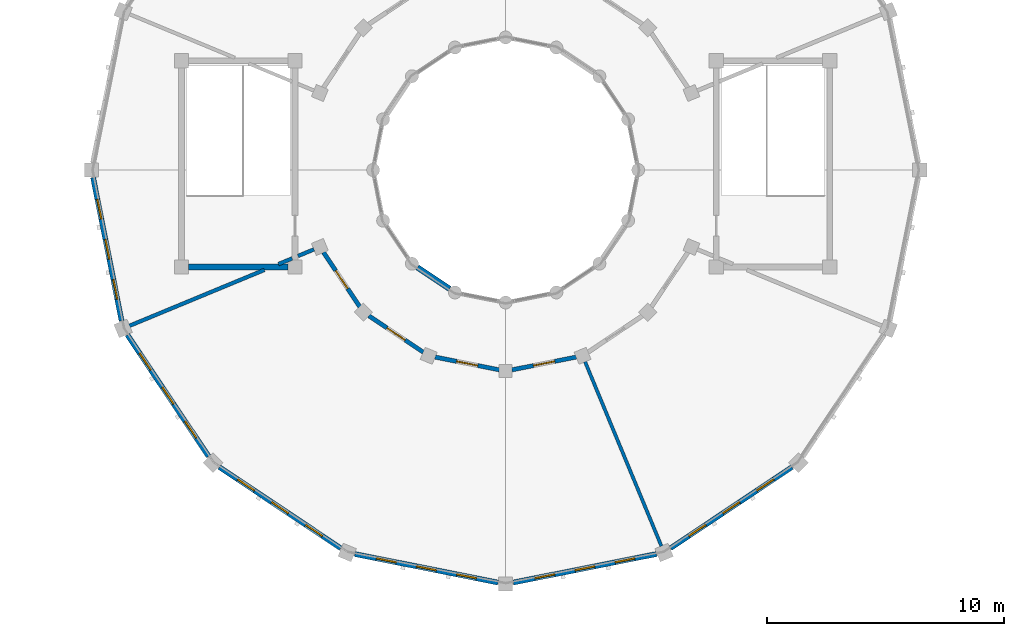
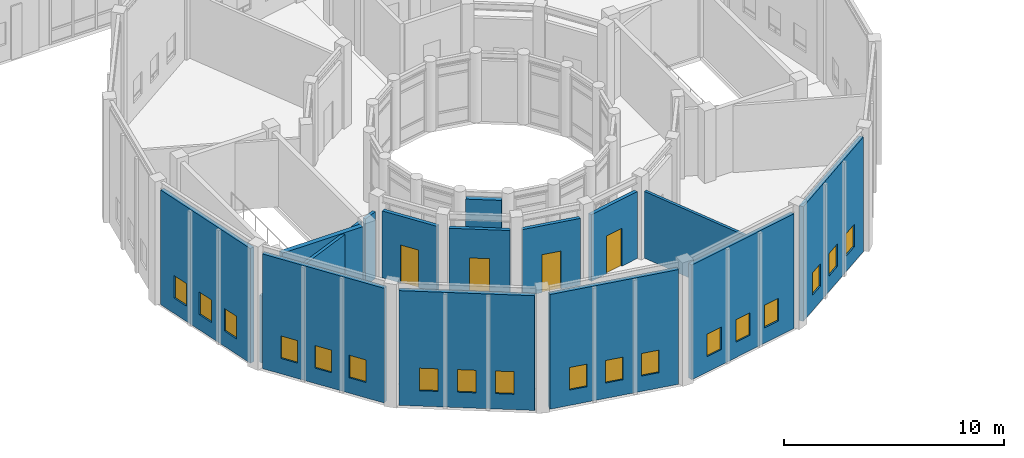
# One storey, part 116 of 149: 18 windows, 16 walls, 4 doors, 22 openings.
"""IFC4 building model written with IfcOpenShell, lengths in metres."""

from ifc_helpers import new_model, si_unit, direction, frame, frame_2d, origin, place, context, subcontext, project, spatial, rectangle, extrude, material, layer, layer_set, type_object, element, fill, save


model = new_model("IFC4")

# Units and contexts
model_context = context("Model", 3, precision=1e-05, world=origin(), true_north=direction((0.0, 1.0)))
body_context = subcontext(model_context, "Body", "Model", "MODEL_VIEW")
ifc_project = project(units=[si_unit("LENGTHUNIT", "METRE"), si_unit("AREAUNIT", "SQUARE_METRE"), si_unit("VOLUMEUNIT", "CUBIC_METRE"), si_unit("PLANEANGLEUNIT", "RADIAN"), si_unit("MASSUNIT", "GRAM", prefix="KILO")], contexts=[model_context])

# Site, building, storey
site_placement = place(None, origin())
site = spatial("IfcSite", under=ifc_project, at=site_placement, CompositionType="ELEMENT")
building_placement = place(site_placement, origin())
building = spatial("IfcBuilding", under=site, at=building_placement, Name="Celadon Cloister-Ring School", CompositionType="ELEMENT")
storey_placement = place(building_placement, frame((0.0, 0.0, 12.5)))
storey = spatial("IfcBuildingStorey", under=building, at=storey_placement, Name="L03", CompositionType="ELEMENT", Elevation=12.5)

# Wall
ifc_material_1 = material(Name="Rendered concrete blockwork", Category="masonry")
ifc_layer_1 = layer(ifc_material_1, 0.239990234375)
ifc_layer_set_1 = layer_set([ifc_layer_1], Name="Rendered concrete blockwork")
wall_type_1 = type_object("IfcWallType", Name="WT-EX3", PredefinedType="SOLIDWALL", material=ifc_layer_set_1)
wall_1_placement = place(storey_placement, frame((16.469970703125, 15.885986328125, 0.0), z_axis=(0.0, 0.0, 1.0), x_axis=(0.83165874011, -0.555287078904, 0.0)))
element("IfcWall", 1, at=wall_1_placement, inside=storey, type_object=wall_type_1, Name="Exterior Wall 0364", PredefinedType="SOLIDWALL", context=body_context, shape_type="SweptSolid", body=[
    extrude(rectangle(XDim=1.631591796875, YDim=0.239990234375, at=frame_2d((0.81591796875, 0.0))), origin(), (0.0, 0.0, 1.0), 3.375),
])

# Wall, openings, windows
ifc_material_2 = material(Name="Perforated terracotta clay brick masonry", Category="masonry")
ifc_layer_2 = layer(ifc_material_2, 0.219970703125)
ifc_layer_set_2 = layer_set([ifc_layer_2], Name="Perforated terracotta clay brick masonry")
wall_type_2 = type_object("IfcWallType", Name="WT-EX4", PredefinedType="SOLIDWALL", material=ifc_layer_set_2)
wall_2_placement = place(storey_placement, frame((3.968017578125, 13.6259765625, 0.0), z_axis=(0.0, 0.0, 1.0), x_axis=(-0.195164813773, 0.980770460131, 0.0)))
wall_2 = element("IfcWall", 2, at=wall_2_placement, inside=storey, type_object=wall_type_2, Name="Exterior Wall 0361", PredefinedType="SOLIDWALL", context=body_context, shape_type="SweptSolid", body=[
    extrude(rectangle(XDim=6.169677734375, YDim=0.219970703125, at=frame_2d((3.0849609375, 0.0))), origin(), (0.0, 0.0, 1.0), 6.35009765625),
])
opening_1_placement = place(wall_2_placement, frame((0.931884765625, 0.0, 0.85009765625)))
opening_1 = element("IfcOpeningElement", 3, at=opening_1_placement, cuts=wall_2, Name="Opening WN-11", PredefinedType="OPENING", context=body_context, shape_type="SweptSolid", body=[
    extrude(rectangle(XDim=0.85009765625, YDim=1.25, at=frame_2d((0.425048828125, 0.625))), frame((0.0, 0.1201171875, 0.0), z_axis=(0.0, -1.0, 0.0), x_axis=(1.0, 0.0, 0.0)), (0.0, 0.0, 1.0), 0.239990234375),
])
opening_2_placement = place(wall_2_placement, frame((2.659912109375, 0.0, 0.85009765625)))
opening_2 = element("IfcOpeningElement", 4, at=opening_2_placement, cuts=wall_2, Name="Opening WN-11", PredefinedType="OPENING", context=body_context, shape_type="SweptSolid", body=[
    extrude(rectangle(XDim=0.85009765625, YDim=1.25, at=frame_2d((0.425048828125, 0.625))), frame((0.0, 0.1201171875, 0.0), z_axis=(0.0, -1.0, 0.0), x_axis=(1.0, 0.0, 0.0)), (0.0, 0.0, 1.0), 0.239990234375),
])
opening_3_placement = place(wall_2_placement, frame((4.386962890625, 0.0, 0.85009765625)))
opening_3 = element("IfcOpeningElement", 5, at=opening_3_placement, cuts=wall_2, Name="Opening WN-11", PredefinedType="OPENING", context=body_context, shape_type="SweptSolid", body=[
    extrude(rectangle(XDim=0.85009765625, YDim=1.25, at=frame_2d((0.425048828125, 0.625))), frame((0.0, 0.1201171875, 0.0), z_axis=(0.0, -1.0, 0.0), x_axis=(1.0, 0.0, 0.0)), (0.0, 0.0, 1.0), 0.239990234375),
])
ifc_material_3 = material(Name="Tempered laminated insulating glass", Category="glass")
window_type = type_object("IfcWindowType", Name="WN-11", PartitioningType="SINGLE_PANEL", PredefinedType="WINDOW", material=ifc_material_3)
window_1_placement = place(opening_1_placement, origin())
window_1 = element("IfcWindow", 6, at=window_1_placement, inside=storey, type_object=window_type, Name="Window 0922", OverallHeight=1.25, OverallWidth=0.85009765625, PartitioningType="SINGLE_PANEL", PredefinedType="WINDOW", context=body_context, shape_type="SweptSolid", body=[
    extrude(rectangle(XDim=0.85009765625, YDim=1.25, at=frame_2d((0.425048828125, 0.625))), frame((0.0, 0.030029296875, 0.0), z_axis=(0.0, -1.0, 0.0), x_axis=(1.0, 0.0, 0.0)), (0.0, 0.0, 1.0), 0.06005859375),
])
fill(opening_1, window_1)
window_2_placement = place(opening_2_placement, origin())
window_2 = element("IfcWindow", 7, at=window_2_placement, inside=storey, type_object=window_type, Name="Window 0923", OverallHeight=1.25, OverallWidth=0.85009765625, PartitioningType="SINGLE_PANEL", PredefinedType="WINDOW", context=body_context, shape_type="SweptSolid", body=[
    extrude(rectangle(XDim=0.85009765625, YDim=1.25, at=frame_2d((0.425048828125, 0.625))), frame((0.0, 0.030029296875, 0.0), z_axis=(0.0, -1.0, 0.0), x_axis=(1.0, 0.0, 0.0)), (0.0, 0.0, 1.0), 0.06005859375),
])
fill(opening_2, window_2)
window_3_placement = place(opening_3_placement, origin())
window_3 = element("IfcWindow", 8, at=window_3_placement, inside=storey, type_object=window_type, Name="Window 0924", OverallHeight=1.25, OverallWidth=0.85009765625, PartitioningType="SINGLE_PANEL", PredefinedType="WINDOW", context=body_context, shape_type="SweptSolid", body=[
    extrude(rectangle(XDim=0.85009765625, YDim=1.25, at=frame_2d((0.425048828125, 0.625))), frame((0.0, 0.030029296875, 0.0), z_axis=(0.0, -1.0, 0.0), x_axis=(1.0, 0.0, 0.0)), (0.0, 0.0, 1.0), 0.06005859375),
])
fill(opening_3, window_3)

wall_3_placement = place(storey_placement, frame((7.64306640625, 7.89990234375, 0.0), z_axis=(0.0, 0.0, 1.0), x_axis=(-0.555658736667, 0.831410469242, 0.0)))
wall_3 = element("IfcWall", 9, at=wall_3_placement, inside=storey, type_object=wall_type_2, Name="Exterior Wall 0362", PredefinedType="SOLIDWALL", context=body_context, shape_type="SweptSolid", body=[
    extrude(rectangle(XDim=6.169189453125, YDim=0.219970703125, at=frame_2d((3.08447265625, 0.0))), origin(), (0.0, 0.0, 1.0), 6.35009765625),
])
opening_4_placement = place(wall_3_placement, frame((0.931884765625, 0.0, 0.85009765625)))
opening_4 = element("IfcOpeningElement", 10, at=opening_4_placement, cuts=wall_3, Name="Opening WN-11", PredefinedType="OPENING", context=body_context, shape_type="SweptSolid", body=[
    extrude(rectangle(XDim=0.85009765625, YDim=1.25, at=frame_2d((0.425048828125, 0.625))), frame((0.0, 0.1201171875, 0.0), z_axis=(0.0, -1.0, 0.0), x_axis=(1.0, 0.0, 0.0)), (0.0, 0.0, 1.0), 0.239990234375),
])
opening_5_placement = place(wall_3_placement, frame((2.659912109375, 0.0, 0.85009765625)))
opening_5 = element("IfcOpeningElement", 11, at=opening_5_placement, cuts=wall_3, Name="Opening WN-11", PredefinedType="OPENING", context=body_context, shape_type="SweptSolid", body=[
    extrude(rectangle(XDim=0.85009765625, YDim=1.25, at=frame_2d((0.425048828125, 0.625))), frame((0.0, 0.1201171875, 0.0), z_axis=(0.0, -1.0, 0.0), x_axis=(1.0, 0.0, 0.0)), (0.0, 0.0, 1.0), 0.239990234375),
])
opening_6_placement = place(wall_3_placement, frame((4.386962890625, 0.0, 0.85009765625)))
opening_6 = element("IfcOpeningElement", 12, at=opening_6_placement, cuts=wall_3, Name="Opening WN-11", PredefinedType="OPENING", context=body_context, shape_type="SweptSolid", body=[
    extrude(rectangle(XDim=0.85009765625, YDim=1.25, at=frame_2d((0.425048828125, 0.625))), frame((0.0, 0.1201171875, 0.0), z_axis=(0.0, -1.0, 0.0), x_axis=(1.0, 0.0, 0.0)), (0.0, 0.0, 1.0), 0.239990234375),
])
window_4_placement = place(opening_4_placement, origin())
window_4 = element("IfcWindow", 13, at=window_4_placement, inside=storey, type_object=window_type, Name="Window 0925", OverallHeight=1.25, OverallWidth=0.85009765625, PartitioningType="SINGLE_PANEL", PredefinedType="WINDOW", context=body_context, shape_type="SweptSolid", body=[
    extrude(rectangle(XDim=0.85009765625, YDim=1.25, at=frame_2d((0.425048828125, 0.625))), frame((0.0, 0.030029296875, 0.0), z_axis=(0.0, -1.0, 0.0), x_axis=(1.0, 0.0, 0.0)), (0.0, 0.0, 1.0), 0.06005859375),
])
fill(opening_4, window_4)
window_5_placement = place(opening_5_placement, origin())
window_5 = element("IfcWindow", 14, at=window_5_placement, inside=storey, type_object=window_type, Name="Window 0926", OverallHeight=1.25, OverallWidth=0.85009765625, PartitioningType="SINGLE_PANEL", PredefinedType="WINDOW", context=body_context, shape_type="SweptSolid", body=[
    extrude(rectangle(XDim=0.85009765625, YDim=1.25, at=frame_2d((0.425048828125, 0.625))), frame((0.0, 0.030029296875, 0.0), z_axis=(0.0, -1.0, 0.0), x_axis=(1.0, 0.0, 0.0)), (0.0, 0.0, 1.0), 0.06005859375),
])
fill(opening_5, window_5)
window_6_placement = place(opening_6_placement, origin())
window_6 = element("IfcWindow", 15, at=window_6_placement, inside=storey, type_object=window_type, Name="Window 0927", OverallHeight=1.25, OverallWidth=0.85009765625, PartitioningType="SINGLE_PANEL", PredefinedType="WINDOW", context=body_context, shape_type="SweptSolid", body=[
    extrude(rectangle(XDim=0.85009765625, YDim=1.25, at=frame_2d((0.425048828125, 0.625))), frame((0.0, 0.030029296875, 0.0), z_axis=(0.0, -1.0, 0.0), x_axis=(1.0, 0.0, 0.0)), (0.0, 0.0, 1.0), 0.06005859375),
])
fill(opening_6, window_6)

wall_4_placement = place(storey_placement, frame((13.22900390625, 4.014892578125, 0.0), z_axis=(0.0, 0.0, 1.0), x_axis=(-0.831379966495, 0.555704374025, 0.0)))
wall_4 = element("IfcWall", 16, at=wall_4_placement, inside=storey, type_object=wall_type_2, Name="Exterior Wall 0363", PredefinedType="SOLIDWALL", context=body_context, shape_type="SweptSolid", body=[
    extrude(rectangle(XDim=6.169189453125, YDim=0.219970703125, at=frame_2d((3.08447265625, 0.0))), origin(), (0.0, 0.0, 1.0), 6.35009765625),
])
opening_7_placement = place(wall_4_placement, frame((0.931884765625, 0.0, 0.85009765625)))
opening_7 = element("IfcOpeningElement", 17, at=opening_7_placement, cuts=wall_4, Name="Opening WN-11", PredefinedType="OPENING", context=body_context, shape_type="SweptSolid", body=[
    extrude(rectangle(XDim=0.85009765625, YDim=1.25, at=frame_2d((0.425048828125, 0.625))), frame((0.0, 0.1201171875, 0.0), z_axis=(0.0, -1.0, 0.0), x_axis=(1.0, 0.0, 0.0)), (0.0, 0.0, 1.0), 0.239990234375),
])
opening_8_placement = place(wall_4_placement, frame((2.659912109375, 0.0, 0.85009765625)))
opening_8 = element("IfcOpeningElement", 18, at=opening_8_placement, cuts=wall_4, Name="Opening WN-11", PredefinedType="OPENING", context=body_context, shape_type="SweptSolid", body=[
    extrude(rectangle(XDim=0.85009765625, YDim=1.25, at=frame_2d((0.425048828125, 0.625))), frame((0.0, 0.1201171875, 0.0), z_axis=(0.0, -1.0, 0.0), x_axis=(1.0, 0.0, 0.0)), (0.0, 0.0, 1.0), 0.239990234375),
])
opening_9_placement = place(wall_4_placement, frame((4.386962890625, 0.0, 0.85009765625)))
opening_9 = element("IfcOpeningElement", 19, at=opening_9_placement, cuts=wall_4, Name="Opening WN-11", PredefinedType="OPENING", context=body_context, shape_type="SweptSolid", body=[
    extrude(rectangle(XDim=0.85009765625, YDim=1.25, at=frame_2d((0.425048828125, 0.625))), frame((0.0, 0.1201171875, 0.0), z_axis=(0.0, -1.0, 0.0), x_axis=(1.0, 0.0, 0.0)), (0.0, 0.0, 1.0), 0.239990234375),
])
window_7_placement = place(opening_7_placement, origin())
window_7 = element("IfcWindow", 20, at=window_7_placement, inside=storey, type_object=window_type, Name="Window 0928", OverallHeight=1.25, OverallWidth=0.85009765625, PartitioningType="SINGLE_PANEL", PredefinedType="WINDOW", context=body_context, shape_type="SweptSolid", body=[
    extrude(rectangle(XDim=0.85009765625, YDim=1.25, at=frame_2d((0.425048828125, 0.625))), frame((0.0, 0.030029296875, 0.0), z_axis=(0.0, -1.0, 0.0), x_axis=(1.0, 0.0, 0.0)), (0.0, 0.0, 1.0), 0.06005859375),
])
fill(opening_7, window_7)
window_8_placement = place(opening_8_placement, origin())
window_8 = element("IfcWindow", 21, at=window_8_placement, inside=storey, type_object=window_type, Name="Window 0929", OverallHeight=1.25, OverallWidth=0.85009765625, PartitioningType="SINGLE_PANEL", PredefinedType="WINDOW", context=body_context, shape_type="SweptSolid", body=[
    extrude(rectangle(XDim=0.85009765625, YDim=1.25, at=frame_2d((0.425048828125, 0.625))), frame((0.0, 0.030029296875, 0.0), z_axis=(0.0, -1.0, 0.0), x_axis=(1.0, 0.0, 0.0)), (0.0, 0.0, 1.0), 0.06005859375),
])
fill(opening_8, window_8)
window_9_placement = place(opening_9_placement, origin())
window_9 = element("IfcWindow", 22, at=window_9_placement, inside=storey, type_object=window_type, Name="Window 0930", OverallHeight=1.25, OverallWidth=0.85009765625, PartitioningType="SINGLE_PANEL", PredefinedType="WINDOW", context=body_context, shape_type="SweptSolid", body=[
    extrude(rectangle(XDim=0.85009765625, YDim=1.25, at=frame_2d((0.425048828125, 0.625))), frame((0.0, 0.030029296875, 0.0), z_axis=(0.0, -1.0, 0.0), x_axis=(1.0, 0.0, 0.0)), (0.0, 0.0, 1.0), 0.06005859375),
])
fill(opening_9, window_9)

wall_5_placement = place(storey_placement, frame((19.876953125, 2.56396484375, 0.0), z_axis=(0.0, 0.0, 1.0), x_axis=(-0.980770460131, 0.195164813773, 0.0)))
wall_5 = element("IfcWall", 23, at=wall_5_placement, inside=storey, type_object=wall_type_2, Name="Exterior Wall 0365", PredefinedType="SOLIDWALL", context=body_context, shape_type="SweptSolid", body=[
    extrude(rectangle(XDim=6.169677734375, YDim=0.219970703125, at=frame_2d((3.0849609375, 0.0))), origin(), (0.0, 0.0, 1.0), 6.35009765625),
])
opening_10_placement = place(wall_5_placement, frame((0.931884765625, 0.0, 0.85009765625)))
opening_10 = element("IfcOpeningElement", 24, at=opening_10_placement, cuts=wall_5, Name="Opening WN-11", PredefinedType="OPENING", context=body_context, shape_type="SweptSolid", body=[
    extrude(rectangle(XDim=0.85009765625, YDim=1.25, at=frame_2d((0.425048828125, 0.625))), frame((0.0, 0.1201171875, 0.0), z_axis=(0.0, -1.0, 0.0), x_axis=(1.0, 0.0, 0.0)), (0.0, 0.0, 1.0), 0.239990234375),
])
opening_11_placement = place(wall_5_placement, frame((2.659912109375, 0.0, 0.85009765625)))
opening_11 = element("IfcOpeningElement", 25, at=opening_11_placement, cuts=wall_5, Name="Opening WN-11", PredefinedType="OPENING", context=body_context, shape_type="SweptSolid", body=[
    extrude(rectangle(XDim=0.85009765625, YDim=1.25, at=frame_2d((0.425048828125, 0.625))), frame((0.0, 0.1201171875, 0.0), z_axis=(0.0, -1.0, 0.0), x_axis=(1.0, 0.0, 0.0)), (0.0, 0.0, 1.0), 0.239990234375),
])
opening_12_placement = place(wall_5_placement, frame((4.386962890625, 0.0, 0.85009765625)))
opening_12 = element("IfcOpeningElement", 26, at=opening_12_placement, cuts=wall_5, Name="Opening WN-11", PredefinedType="OPENING", context=body_context, shape_type="SweptSolid", body=[
    extrude(rectangle(XDim=0.85009765625, YDim=1.25, at=frame_2d((0.425048828125, 0.625))), frame((0.0, 0.1201171875, 0.0), z_axis=(0.0, -1.0, 0.0), x_axis=(1.0, 0.0, 0.0)), (0.0, 0.0, 1.0), 0.239990234375),
])
window_10_placement = place(opening_10_placement, origin())
window_10 = element("IfcWindow", 27, at=window_10_placement, inside=storey, type_object=window_type, Name="Window 0931", OverallHeight=1.25, OverallWidth=0.85009765625, PartitioningType="SINGLE_PANEL", PredefinedType="WINDOW", context=body_context, shape_type="SweptSolid", body=[
    extrude(rectangle(XDim=0.85009765625, YDim=1.25, at=frame_2d((0.425048828125, 0.625))), frame((0.0, 0.030029296875, 0.0), z_axis=(0.0, -1.0, 0.0), x_axis=(1.0, 0.0, 0.0)), (0.0, 0.0, 1.0), 0.06005859375),
])
fill(opening_10, window_10)
window_11_placement = place(opening_11_placement, origin())
window_11 = element("IfcWindow", 28, at=window_11_placement, inside=storey, type_object=window_type, Name="Window 0932", OverallHeight=1.25, OverallWidth=0.85009765625, PartitioningType="SINGLE_PANEL", PredefinedType="WINDOW", context=body_context, shape_type="SweptSolid", body=[
    extrude(rectangle(XDim=0.85009765625, YDim=1.25, at=frame_2d((0.425048828125, 0.625))), frame((0.0, 0.030029296875, 0.0), z_axis=(0.0, -1.0, 0.0), x_axis=(1.0, 0.0, 0.0)), (0.0, 0.0, 1.0), 0.06005859375),
])
fill(opening_11, window_11)
window_12_placement = place(opening_12_placement, origin())
window_12 = element("IfcWindow", 29, at=window_12_placement, inside=storey, type_object=window_type, Name="Window 0933", OverallHeight=1.25, OverallWidth=0.85009765625, PartitioningType="SINGLE_PANEL", PredefinedType="WINDOW", context=body_context, shape_type="SweptSolid", body=[
    extrude(rectangle(XDim=0.85009765625, YDim=1.25, at=frame_2d((0.425048828125, 0.625))), frame((0.0, 0.030029296875, 0.0), z_axis=(0.0, -1.0, 0.0), x_axis=(1.0, 0.0, 0.0)), (0.0, 0.0, 1.0), 0.06005859375),
])
fill(opening_12, window_12)

wall_6_placement = place(storey_placement, frame((26.573974609375, 3.76806640625, 0.0), z_axis=(0.0, 0.0, 1.0), x_axis=(-0.980770460131, -0.195164813773, 0.0)))
wall_6 = element("IfcWall", 30, at=wall_6_placement, inside=storey, type_object=wall_type_2, Name="Exterior Wall 0366", PredefinedType="SOLIDWALL", context=body_context, shape_type="SweptSolid", body=[
    extrude(rectangle(XDim=6.169677734375, YDim=0.219970703125, at=frame_2d((3.0849609375, 0.0))), origin(), (0.0, 0.0, 1.0), 6.35009765625),
])
opening_13_placement = place(wall_6_placement, frame((0.931884765625, 0.0, 0.85009765625)))
opening_13 = element("IfcOpeningElement", 31, at=opening_13_placement, cuts=wall_6, Name="Opening WN-11", PredefinedType="OPENING", context=body_context, shape_type="SweptSolid", body=[
    extrude(rectangle(XDim=0.85009765625, YDim=1.25, at=frame_2d((0.425048828125, 0.625))), frame((0.0, 0.1201171875, 0.0), z_axis=(0.0, -1.0, 0.0), x_axis=(1.0, 0.0, 0.0)), (0.0, 0.0, 1.0), 0.239990234375),
])
opening_14_placement = place(wall_6_placement, frame((2.659912109375, 0.0, 0.85009765625)))
opening_14 = element("IfcOpeningElement", 32, at=opening_14_placement, cuts=wall_6, Name="Opening WN-11", PredefinedType="OPENING", context=body_context, shape_type="SweptSolid", body=[
    extrude(rectangle(XDim=0.85009765625, YDim=1.25, at=frame_2d((0.425048828125, 0.625))), frame((0.0, 0.1201171875, 0.0), z_axis=(0.0, -1.0, 0.0), x_axis=(1.0, 0.0, 0.0)), (0.0, 0.0, 1.0), 0.239990234375),
])
opening_15_placement = place(wall_6_placement, frame((4.386962890625, 0.0, 0.85009765625)))
opening_15 = element("IfcOpeningElement", 33, at=opening_15_placement, cuts=wall_6, Name="Opening WN-11", PredefinedType="OPENING", context=body_context, shape_type="SweptSolid", body=[
    extrude(rectangle(XDim=0.85009765625, YDim=1.25, at=frame_2d((0.425048828125, 0.625))), frame((0.0, 0.1201171875, 0.0), z_axis=(0.0, -1.0, 0.0), x_axis=(1.0, 0.0, 0.0)), (0.0, 0.0, 1.0), 0.239990234375),
])
window_13_placement = place(opening_13_placement, origin())
window_13 = element("IfcWindow", 34, at=window_13_placement, inside=storey, type_object=window_type, Name="Window 0934", OverallHeight=1.25, OverallWidth=0.85009765625, PartitioningType="SINGLE_PANEL", PredefinedType="WINDOW", context=body_context, shape_type="SweptSolid", body=[
    extrude(rectangle(XDim=0.85009765625, YDim=1.25, at=frame_2d((0.425048828125, 0.625))), frame((0.0, 0.030029296875, 0.0), z_axis=(0.0, -1.0, 0.0), x_axis=(1.0, 0.0, 0.0)), (0.0, 0.0, 1.0), 0.06005859375),
])
fill(opening_13, window_13)
window_14_placement = place(opening_14_placement, origin())
window_14 = element("IfcWindow", 35, at=window_14_placement, inside=storey, type_object=window_type, Name="Window 0935", OverallHeight=1.25, OverallWidth=0.85009765625, PartitioningType="SINGLE_PANEL", PredefinedType="WINDOW", context=body_context, shape_type="SweptSolid", body=[
    extrude(rectangle(XDim=0.85009765625, YDim=1.25, at=frame_2d((0.425048828125, 0.625))), frame((0.0, 0.030029296875, 0.0), z_axis=(0.0, -1.0, 0.0), x_axis=(1.0, 0.0, 0.0)), (0.0, 0.0, 1.0), 0.06005859375),
])
fill(opening_14, window_14)
window_15_placement = place(opening_15_placement, origin())
window_15 = element("IfcWindow", 36, at=window_15_placement, inside=storey, type_object=window_type, Name="Window 0936", OverallHeight=1.25, OverallWidth=0.85009765625, PartitioningType="SINGLE_PANEL", PredefinedType="WINDOW", context=body_context, shape_type="SweptSolid", body=[
    extrude(rectangle(XDim=0.85009765625, YDim=1.25, at=frame_2d((0.425048828125, 0.625))), frame((0.0, 0.030029296875, 0.0), z_axis=(0.0, -1.0, 0.0), x_axis=(1.0, 0.0, 0.0)), (0.0, 0.0, 1.0), 0.06005859375),
])
fill(opening_15, window_15)

wall_7_placement = place(storey_placement, frame((32.300048828125, 7.443115234375, 0.0), z_axis=(0.0, 0.0, 1.0), x_axis=(-0.831392186772, -0.55568609104, 0.0)))
wall_7 = element("IfcWall", 37, at=wall_7_placement, inside=storey, type_object=wall_type_2, Name="Exterior Wall 0367", PredefinedType="SOLIDWALL", context=body_context, shape_type="SweptSolid", body=[
    extrude(rectangle(XDim=6.16943359375, YDim=0.219970703125, at=frame_2d((3.084716796875, 0.0))), origin(), (0.0, 0.0, 1.0), 6.35009765625),
])
opening_16_placement = place(wall_7_placement, frame((0.931884765625, 0.0, 0.85009765625)))
opening_16 = element("IfcOpeningElement", 38, at=opening_16_placement, cuts=wall_7, Name="Opening WN-11", PredefinedType="OPENING", context=body_context, shape_type="SweptSolid", body=[
    extrude(rectangle(XDim=0.85009765625, YDim=1.25, at=frame_2d((0.425048828125, 0.625))), frame((0.0, 0.1201171875, 0.0), z_axis=(0.0, -1.0, 0.0), x_axis=(1.0, 0.0, 0.0)), (0.0, 0.0, 1.0), 0.239990234375),
])
opening_17_placement = place(wall_7_placement, frame((2.659912109375, 0.0, 0.85009765625)))
opening_17 = element("IfcOpeningElement", 39, at=opening_17_placement, cuts=wall_7, Name="Opening WN-11", PredefinedType="OPENING", context=body_context, shape_type="SweptSolid", body=[
    extrude(rectangle(XDim=0.85009765625, YDim=1.25, at=frame_2d((0.425048828125, 0.625))), frame((0.0, 0.1201171875, 0.0), z_axis=(0.0, -1.0, 0.0), x_axis=(1.0, 0.0, 0.0)), (0.0, 0.0, 1.0), 0.239990234375),
])
opening_18_placement = place(wall_7_placement, frame((4.386962890625, 0.0, 0.85009765625)))
opening_18 = element("IfcOpeningElement", 40, at=opening_18_placement, cuts=wall_7, Name="Opening WN-11", PredefinedType="OPENING", context=body_context, shape_type="SweptSolid", body=[
    extrude(rectangle(XDim=0.85009765625, YDim=1.25, at=frame_2d((0.425048828125, 0.625))), frame((0.0, 0.1201171875, 0.0), z_axis=(0.0, -1.0, 0.0), x_axis=(1.0, 0.0, 0.0)), (0.0, 0.0, 1.0), 0.239990234375),
])
window_16_placement = place(opening_16_placement, origin())
window_16 = element("IfcWindow", 41, at=window_16_placement, inside=storey, type_object=window_type, Name="Window 0937", OverallHeight=1.25, OverallWidth=0.85009765625, PartitioningType="SINGLE_PANEL", PredefinedType="WINDOW", context=body_context, shape_type="SweptSolid", body=[
    extrude(rectangle(XDim=0.85009765625, YDim=1.25, at=frame_2d((0.425048828125, 0.625))), frame((0.0, 0.030029296875, 0.0), z_axis=(0.0, -1.0, 0.0), x_axis=(1.0, 0.0, 0.0)), (0.0, 0.0, 1.0), 0.06005859375),
])
fill(opening_16, window_16)
window_17_placement = place(opening_17_placement, origin())
window_17 = element("IfcWindow", 42, at=window_17_placement, inside=storey, type_object=window_type, Name="Window 0938", OverallHeight=1.25, OverallWidth=0.85009765625, PartitioningType="SINGLE_PANEL", PredefinedType="WINDOW", context=body_context, shape_type="SweptSolid", body=[
    extrude(rectangle(XDim=0.85009765625, YDim=1.25, at=frame_2d((0.425048828125, 0.625))), frame((0.0, 0.030029296875, 0.0), z_axis=(0.0, -1.0, 0.0), x_axis=(1.0, 0.0, 0.0)), (0.0, 0.0, 1.0), 0.06005859375),
])
fill(opening_17, window_17)
window_18_placement = place(opening_18_placement, origin())
window_18 = element("IfcWindow", 43, at=window_18_placement, inside=storey, type_object=window_type, Name="Window 0939", OverallHeight=1.25, OverallWidth=0.85009765625, PartitioningType="SINGLE_PANEL", PredefinedType="WINDOW", context=body_context, shape_type="SweptSolid", body=[
    extrude(rectangle(XDim=0.85009765625, YDim=1.25, at=frame_2d((0.425048828125, 0.625))), frame((0.0, 0.030029296875, 0.0), z_axis=(0.0, -1.0, 0.0), x_axis=(1.0, 0.0, 0.0)), (0.0, 0.0, 1.0), 0.06005859375),
])
fill(opening_18, window_18)

# Wall, opening, door
ifc_material_4 = material(Name="Plastered hollow concrete masonry", Category="masonry")
ifc_layer_3 = layer(ifc_material_4, 0.179931640625)
ifc_layer_set_3 = layer_set([ifc_layer_3], Name="Plastered hollow concrete masonry")
wall_type_3 = type_object("IfcWallType", Name="WT-PT2", PredefinedType="PARTITIONING", material=ifc_layer_set_3)
wall_8_placement = place(storey_placement, frame((12.498046875, 16.52099609375, 0.0), z_axis=(0.0, 0.0, 1.0), x_axis=(0.555797002478, -0.831318045056, 0.0)))
wall_8 = element("IfcWall", 44, at=wall_8_placement, inside=storey, type_object=wall_type_3, Name="Interior Wall 0868", PredefinedType="PARTITIONING", context=body_context, shape_type="SweptSolid", body=[
    extrude(rectangle(XDim=2.772705078125, YDim=0.179931640625, at=frame_2d((1.38623046875, 0.0))), origin(), (0.0, 0.0, 1.0), 3.699951171875),
])
opening_19_placement = place(wall_8_placement, frame((0.926025390625, 0.0, 0.0)))
opening_19 = element("IfcOpeningElement", 45, at=opening_19_placement, cuts=wall_8, Name="Opening D-0315", PredefinedType="OPENING", context=body_context, shape_type="SweptSolid", body=[
    extrude(rectangle(XDim=0.919921875, YDim=2.10009765625, at=frame_2d((0.4599609375, 1.050048828125))), frame((0.0, 0.10009765625, 0.0), z_axis=(0.0, -1.0, 0.0), x_axis=(1.0, 0.0, 0.0)), (0.0, 0.0, 1.0), 0.199951171875),
])
ifc_material_5 = material(Name="Solid-core fire-rated hardwood leaf", Category="wood")
door_type = type_object("IfcDoorType", Name="DT-02", OperationType="NOTDEFINED", PredefinedType="DOOR", material=ifc_material_5)
door_1_placement = place(opening_19_placement, origin())
door_1 = element("IfcDoor", 46, at=door_1_placement, inside=storey, type_object=door_type, Name="Door D-0315", OperationType="SINGLE_SWING_LEFT", OverallHeight=2.10009765625, OverallWidth=0.919921875, PredefinedType="DOOR", context=body_context, shape_type="SweptSolid", body=[
    extrude(rectangle(XDim=0.919921875, YDim=2.10009765625, at=frame_2d((0.4599609375, 1.050048828125))), frame((0.0, 0.02490234375, 0.0), z_axis=(0.0, -1.0, 0.0), x_axis=(1.0, 0.0, 0.0)), (0.0, 0.0, 1.0), 0.050048828125),
])
fill(opening_19, door_1)

wall_9_placement = place(storey_placement, frame((14.416015625, 13.839111328125, 0.0), z_axis=(0.0, 0.0, 1.0), x_axis=(0.831318045056, -0.555797002478, 0.0)))
wall_9 = element("IfcWall", 47, at=wall_9_placement, inside=storey, type_object=wall_type_3, Name="Interior Wall 0869", PredefinedType="PARTITIONING", context=body_context, shape_type="SweptSolid", body=[
    extrude(rectangle(XDim=2.772705078125, YDim=0.179931640625, at=frame_2d((1.38623046875, 0.0))), origin(), (0.0, 0.0, 1.0), 3.699951171875),
])
opening_20_placement = place(wall_9_placement, frame((0.926025390625, 0.0, 0.0)))
opening_20 = element("IfcOpeningElement", 48, at=opening_20_placement, cuts=wall_9, Name="Opening D-0316", PredefinedType="OPENING", context=body_context, shape_type="SweptSolid", body=[
    extrude(rectangle(XDim=0.919921875, YDim=2.10009765625, at=frame_2d((0.4599609375, 1.050048828125))), frame((0.0, 0.10009765625, 0.0), z_axis=(0.0, -1.0, 0.0), x_axis=(1.0, 0.0, 0.0)), (0.0, 0.0, 1.0), 0.199951171875),
])
door_2_placement = place(opening_20_placement, origin())
door_2 = element("IfcDoor", 49, at=door_2_placement, inside=storey, type_object=door_type, Name="Door D-0316", OperationType="SINGLE_SWING_RIGHT", OverallHeight=2.10009765625, OverallWidth=0.919921875, PredefinedType="DOOR", context=body_context, shape_type="SweptSolid", body=[
    extrude(rectangle(XDim=0.919921875, YDim=2.10009765625, at=frame_2d((0.4599609375, 1.050048828125))), frame((0.0, 0.02490234375, 0.0), z_axis=(0.0, -1.0, 0.0), x_axis=(1.0, 0.0, 0.0)), (0.0, 0.0, 1.0), 0.050048828125),
])
fill(opening_20, door_2)

wall_10_placement = place(storey_placement, frame((17.214111328125, 12.093994140625, 0.0), z_axis=(0.0, 0.0, 1.0), x_axis=(0.980773264811, -0.195150718759, 0.0)))
wall_10 = element("IfcWall", 50, at=wall_10_placement, inside=storey, type_object=wall_type_3, Name="Interior Wall 0870", PredefinedType="PARTITIONING", context=body_context, shape_type="SweptSolid", body=[
    extrude(rectangle(XDim=2.772216796875, YDim=0.179931640625, at=frame_2d((1.38623046875, 0.0))), origin(), (0.0, 0.0, 1.0), 3.699951171875),
])
opening_21_placement = place(wall_10_placement, frame((0.926025390625, 0.0, 0.0)))
opening_21 = element("IfcOpeningElement", 51, at=opening_21_placement, cuts=wall_10, Name="Opening D-0317", PredefinedType="OPENING", context=body_context, shape_type="SweptSolid", body=[
    extrude(rectangle(XDim=0.919921875, YDim=2.10009765625, at=frame_2d((0.4599609375, 1.050048828125))), frame((0.0, 0.10009765625, 0.0), z_axis=(0.0, -1.0, 0.0), x_axis=(1.0, 0.0, 0.0)), (0.0, 0.0, 1.0), 0.199951171875),
])
door_3_placement = place(opening_21_placement, origin())
door_3 = element("IfcDoor", 52, at=door_3_placement, inside=storey, type_object=door_type, Name="Door D-0317", OperationType="SINGLE_SWING_LEFT", OverallHeight=2.10009765625, OverallWidth=0.919921875, PredefinedType="DOOR", context=body_context, shape_type="SweptSolid", body=[
    extrude(rectangle(XDim=0.919921875, YDim=2.10009765625, at=frame_2d((0.4599609375, 1.050048828125))), frame((0.0, 0.02490234375, 0.0), z_axis=(0.0, -1.0, 0.0), x_axis=(1.0, 0.0, 0.0)), (0.0, 0.0, 1.0), 0.050048828125),
])
fill(opening_21, door_3)

wall_11_placement = place(storey_placement, frame((20.467041015625, 11.552978515625, 0.0), z_axis=(0.0, 0.0, 1.0), x_axis=(0.980773264811, 0.195150718759, 0.0)))
wall_11 = element("IfcWall", 53, at=wall_11_placement, inside=storey, type_object=wall_type_3, Name="Interior Wall 0871", PredefinedType="PARTITIONING", context=body_context, shape_type="SweptSolid", body=[
    extrude(rectangle(XDim=2.772216796875, YDim=0.179931640625, at=frame_2d((1.38623046875, 0.0))), origin(), (0.0, 0.0, 1.0), 3.699951171875),
])
opening_22_placement = place(wall_11_placement, frame((0.926025390625, 0.0, 0.0)))
opening_22 = element("IfcOpeningElement", 54, at=opening_22_placement, cuts=wall_11, Name="Opening D-0318", PredefinedType="OPENING", context=body_context, shape_type="SweptSolid", body=[
    extrude(rectangle(XDim=0.919921875, YDim=2.10009765625, at=frame_2d((0.4599609375, 1.050048828125))), frame((0.0, 0.10009765625, 0.0), z_axis=(0.0, -1.0, 0.0), x_axis=(1.0, 0.0, 0.0)), (0.0, 0.0, 1.0), 0.199951171875),
])
door_4_placement = place(opening_22_placement, origin())
door_4 = element("IfcDoor", 55, at=door_4_placement, inside=storey, type_object=door_type, Name="Door D-0318", OperationType="SINGLE_SWING_RIGHT", OverallHeight=2.10009765625, OverallWidth=0.919921875, PredefinedType="DOOR", context=body_context, shape_type="SweptSolid", body=[
    extrude(rectangle(XDim=0.919921875, YDim=2.10009765625, at=frame_2d((0.4599609375, 1.050048828125))), frame((0.0, 0.02490234375, 0.0), z_axis=(0.0, -1.0, 0.0), x_axis=(1.0, 0.0, 0.0)), (0.0, 0.0, 1.0), 0.050048828125),
])
fill(opening_22, door_4)

# Walls
ifc_material_6 = material(Name="Plastered hollow concrete masonry", Category="masonry")
ifc_layer_4 = layer(ifc_material_6, 0.159912109375)
ifc_layer_set_4 = layer_set([ifc_layer_4], Name="Plastered hollow concrete masonry")
wall_type_4 = type_object("IfcWallType", Name="WT-PT3", PredefinedType="PARTITIONING", material=ifc_layer_set_4)
wall_12_placement = place(storey_placement, frame((12.10009765625, 16.64501953125, 0.0), z_axis=(0.0, 0.0, 1.0), x_axis=(-0.924069600435, -0.382224245113, 0.0)))
element("IfcWall", 56, at=wall_12_placement, inside=storey, type_object=wall_type_4, Name="Interior Wall 0857", PredefinedType="PARTITIONING", context=body_context, shape_type="SweptSolid", body=[
    extrude(rectangle(XDim=0.732666015625, YDim=0.159912109375, at=frame_2d((0.3662109375, 0.0))), origin(), (0.0, 0.0, 1.0), 3.699951171875),
])
wall_13_placement = place(storey_placement, frame((11.177001953125, 16.262939453125, 0.0), z_axis=(0.0, 0.0, 1.0), x_axis=(-0.923812676193, -0.382844797933, 0.0)))
element("IfcWall", 57, at=wall_13_placement, inside=storey, type_object=wall_type_4, Name="Interior Wall 0858", PredefinedType="PARTITIONING", context=body_context, shape_type="SweptSolid", body=[
    extrude(rectangle(XDim=0.626953125, YDim=0.159912109375, at=frame_2d((0.3134765625, 0.0))), origin(), (0.0, 0.0, 1.0), 3.699951171875),
])
wall_14_placement = place(storey_placement, frame((10.00390625, 15.777099609375, 0.0), z_axis=(0.0, 0.0, 1.0), x_axis=(-0.923864955254, -0.382718623082, 0.0)))
element("IfcWall", 58, at=wall_14_placement, inside=storey, type_object=wall_type_4, Name="Interior Wall 0859", PredefinedType="PARTITIONING", context=body_context, shape_type="SweptSolid", body=[
    extrude(rectangle(XDim=6.171875, YDim=0.159912109375, at=frame_2d((3.0859375, 0.0))), origin(), (0.0, 0.0, 1.0), 3.699951171875),
])
ifc_material_7 = material(Name="Acoustic mineral-wool drywall partition")
ifc_layer_5 = layer(ifc_material_7, 0.139892578125)
ifc_layer_set_5 = layer_set([ifc_layer_5], Name="Acoustic mineral-wool drywall partition")
wall_type_5 = type_object("IfcWallType", Name="WT-PT4", PredefinedType="PARTITIONING", material=ifc_layer_set_5)
wall_15_placement = place(storey_placement, frame((23.554931640625, 11.89990234375, 0.0), z_axis=(0.0, 0.0, 1.0), x_axis=(0.382683896966, -0.923879340067, 0.0)))
element("IfcWall", 59, at=wall_15_placement, inside=storey, type_object=wall_type_5, Name="Interior Wall 0860", PredefinedType="PARTITIONING", context=body_context, shape_type="SweptSolid", body=[
    extrude(rectangle(XDim=8.4404296875, YDim=0.139892578125, at=frame_2d((4.22021484375, 0.0))), origin(), (0.0, 0.0, 1.0), 3.699951171875),
])
ifc_material_8 = material(Name="Concrete C40/50", Category="concrete")
ifc_layer_6 = layer(ifc_material_8, 0.239990234375)
ifc_layer_set_6 = layer_set([ifc_layer_6], Name="Concrete C40/50")
wall_type_6 = type_object("IfcWallType", Name="WT-SH1", PredefinedType="SHEAR", material=ifc_layer_set_6)
wall_16_placement = place(storey_placement, frame((11.008056640625, 15.89990234375, 0.0), z_axis=(0.0, 0.0, 1.0), x_axis=(-1.0, 0.0, 0.0)))
element("IfcWall", 60, at=wall_16_placement, inside=storey, type_object=wall_type_6, Name="Interior Wall 0063", PredefinedType="SHEAR", context=body_context, shape_type="SweptSolid", body=[
    extrude(rectangle(XDim=4.216064453125, YDim=0.239990234375, at=frame_2d((2.10791015625, 0.0))), origin(), (0.0, 0.0, 1.0), 3.739990234375),
])

save(model, "model.ifc")
